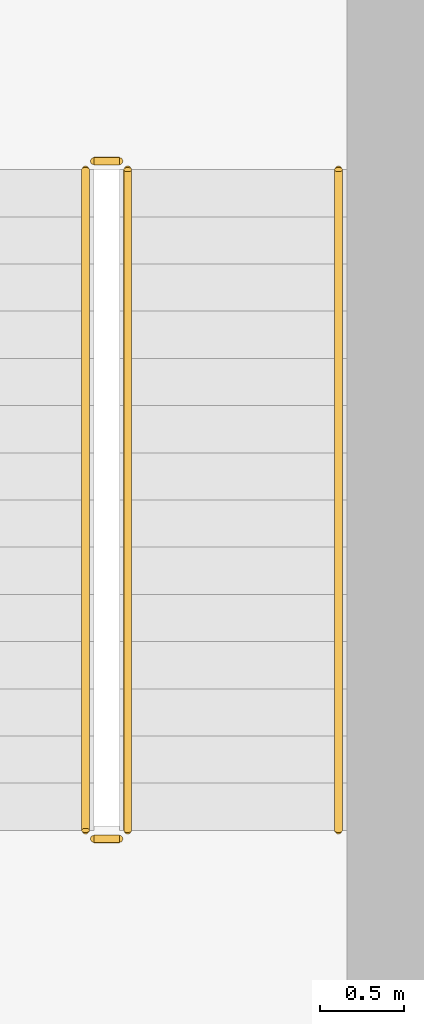
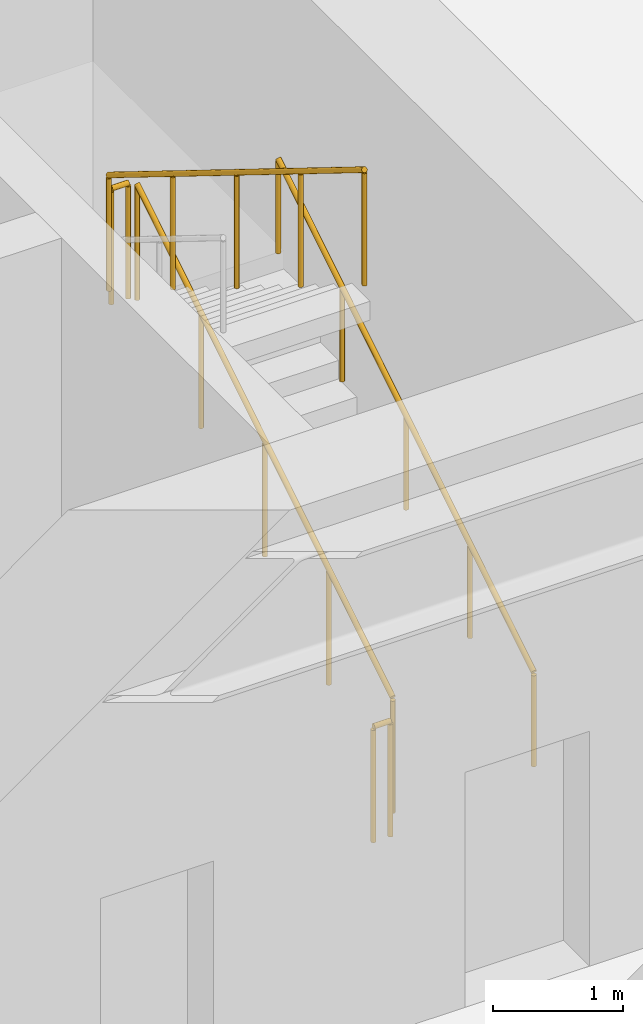
# One storey, part 14 of 14: 5 railings.
"""IFC4 building model written with IfcOpenShell, lengths in metres."""

import ifcopenshell
import ifcopenshell.guid

model = None  # the IFC model being written
_history = None  # IfcOwnerHistory: only IFC2X3 demands one
_inside = {}  # id of a spatial element -> (the spatial element, [elements in it])
_under = {}  # id of a project, library or spatial element -> (it, [spatial elements below it])
_declared = {}  # id of a project -> (the project, [libraries it declares])
_typed = {}  # id of a type object -> (the type object, [elements of that type])
_made_of = {}  # id of a material, layer set ... -> (it, [elements and type objects made of it])


def new_model(schema):
    """Start an empty IFC model of exactly this schema.

    Asked for "IFC4X3", IfcOpenShell would pick the latest addendum, in which some entities
    have other attributes; the version numbers below select the first issue.
    IFC2X3 requires an IfcOwnerHistory on every rooted entity: one is made here for all.
    """
    global model, _history
    if schema == "IFC4X3":
        model = ifcopenshell.file(schema_version=(4, 3, 0, 0))
    else:
        model = ifcopenshell.file(schema=schema)
    _inside.clear()
    _under.clear()
    _declared.clear()
    _typed.clear()
    _made_of.clear()
    _history = None
    if model.schema == "IFC2X3":
        org = make("IfcOrganization", Name="unknown")
        user = make(
            "IfcPersonAndOrganization",
            ThePerson=make("IfcPerson", FamilyName="unknown"),
            TheOrganization=org,
        )
        app = make(
            "IfcApplication",
            ApplicationDeveloper=org,
            Version="unknown",
            ApplicationFullName="unknown",
            ApplicationIdentifier="unknown",
        )
        _history = make(
            "IfcOwnerHistory",
            OwningUser=user,
            OwningApplication=app,
            ChangeAction="ADDED",
            CreationDate=0,
        )
    return model


def make(cls, **values):
    """One entity of the class cls with the attributes given. An attribute that is None is left unset."""
    return model.create_entity(
        cls, **{name: value for name, value in values.items() if value is not None}
    )


def rooted(cls, **values):
    """An entity with a GlobalId (a new one), such as an element, a storey or a relation."""
    return make(cls, GlobalId=ifcopenshell.guid.new(), OwnerHistory=_history, **values)


def si_unit(unit_type, name, prefix=None):
    """IfcSIUnit, for example si_unit("LENGTHUNIT", "METRE", prefix="MILLI")."""
    return make("IfcSIUnit", UnitType=unit_type, Prefix=prefix, Name=name)


def assignment(units):
    """IfcUnitAssignment: the units of a project."""
    return None if units is None else make("IfcUnitAssignment", Units=units)


def point(xyz):
    """IfcCartesianPoint."""
    return None if xyz is None else make("IfcCartesianPoint", Coordinates=xyz)


def direction(xyz):
    """IfcDirection."""
    return None if xyz is None else make("IfcDirection", DirectionRatios=xyz)


def frame(location, z_axis=None, x_axis=None):
    """IfcAxis2Placement3D, a coordinate frame: its origin and axes. An axis left out is left unset."""
    return make(
        "IfcAxis2Placement3D",
        Location=point(location),
        Axis=direction(z_axis),
        RefDirection=direction(x_axis),
    )


def frame_2d(location, x_axis=None):
    """IfcAxis2Placement2D, a coordinate frame in the plane: its origin and x axis."""
    return make(
        "IfcAxis2Placement2D", Location=point(location), RefDirection=direction(x_axis)
    )


def origin():
    """The frame at (0, 0, 0) with its axes left unset."""
    return frame((0.0, 0.0, 0.0))


def origin_2d():
    """The frame at (0, 0) in the plane with its x axis left unset."""
    return frame_2d((0.0, 0.0))


def place(relative_to, where):
    """IfcLocalPlacement: puts the frame where relative to a parent placement (None: the world)."""
    return make(
        "IfcLocalPlacement", PlacementRelTo=relative_to, RelativePlacement=where
    )


def context(
    kind, dimensions, precision=None, world=None, true_north=None, identifier=None
):
    """IfcGeometricRepresentationContext, for example the 3D "Model" context."""
    return make(
        "IfcGeometricRepresentationContext",
        ContextIdentifier=identifier,
        ContextType=kind,
        CoordinateSpaceDimension=dimensions,
        Precision=precision,
        WorldCoordinateSystem=world,
        TrueNorth=true_north,
    )


def subcontext(parent, identifier, kind, view, scale=None):
    """IfcGeometricRepresentationSubContext, for example "Body" below "Model"."""
    return make(
        "IfcGeometricRepresentationSubContext",
        ContextIdentifier=identifier,
        ContextType=kind,
        ParentContext=parent,
        TargetScale=scale,
        TargetView=view,
    )


def project(units=None, contexts=None):
    """IfcProject with its units and contexts."""
    return rooted(
        "IfcProject",
        Name="project",
        RepresentationContexts=contexts,
        UnitsInContext=assignment(units),
    )


def spatial(cls, under=None, at=None, **own):
    """A site, building, storey or space (cls), placed at a placement, below another one or the project."""
    s = rooted(cls, ObjectPlacement=at, **own)
    if under is not None:
        _under.setdefault(under.id(), (under, []))[1].append(s)
    return s


def profile(cls, at=None, kind="AREA", **sizes):
    """A parametric profile (cls). Its sizes go by their IFC names, for example OverallWidth=200.0."""
    return make(cls, ProfileType=kind, Position=at, **sizes)


def circle(**sizes):
    """IfcCircleProfileDef."""
    return profile("IfcCircleProfileDef", **sizes)


def extrude(swept, where, along, depth):
    """IfcExtrudedAreaSolid: the profile swept, set in the frame where, extruded along a direction by depth."""
    return make(
        "IfcExtrudedAreaSolid",
        SweptArea=swept,
        Position=where,
        ExtrudedDirection=direction(along),
        Depth=depth,
    )


def shape(context_of_items, identifier, shape_type, items):
    """IfcShapeRepresentation: the items that make up one representation, for example the "Body"."""
    return make(
        "IfcShapeRepresentation",
        ContextOfItems=context_of_items,
        RepresentationIdentifier=identifier,
        RepresentationType=shape_type,
        Items=items,
    )


def material(Name=None, Category=None):
    """IfcMaterial."""
    return make("IfcMaterial", Name=Name, Category=Category)


def layer(
    of_material, thickness, ventilated=None, Name=None, Category=None, Priority=None
):
    """IfcMaterialLayer: one layer of a wall or slab, of a material (None: an air gap)."""
    return make(
        "IfcMaterialLayer",
        Material=of_material,
        LayerThickness=thickness,
        IsVentilated=ventilated,
        Name=Name,
        Category=Category,
        Priority=Priority,
    )


def layer_set(layers, Name=None):
    """IfcMaterialLayerSet."""
    return make("IfcMaterialLayerSet", MaterialLayers=layers, LayerSetName=Name)


def made_of(thing, what):
    """Note that an element or type object is made of a material, layer set ...; save() writes the relation."""
    if what is not None:
        _made_of.setdefault(what.id(), (what, []))[1].append(thing)
    return thing


def type_object(cls, material=None, **own):
    """A type object (cls), such as IfcWallType, which elements share."""
    return made_of(rooted(cls, **own), material)


def element(
    cls,
    number,
    at=None,
    inside=None,
    cuts=None,
    type_object=None,
    material=None,
    context=None,
    identifier="Body",
    shape_type=None,
    held_by="IfcProductDefinitionShape",
    body=None,
    shapes=None,
    **own,
):
    """One element of the class cls, such as IfcWall. Its Tag is "e" and its number.

    at: its placement. inside: the storey or other place that contains it. cuts: it is an
    opening in that element (IfcRelVoidsElement). A single representation is given by context,
    identifier, shape_type and body (its items); several are given by shapes. held_by: the class
    of the entity that holds the representations. save() writes the other relations.
    """
    e = rooted(cls, Tag="e%d" % number, ObjectPlacement=at, **own)
    if body is not None:
        shapes = [shape(context, identifier, shape_type, body)]
    if shapes is not None:
        e.Representation = make(held_by, Representations=shapes)
    if inside is not None:
        _inside.setdefault(inside.id(), (inside, []))[1].append(e)
    if cuts is not None:
        rooted(
            "IfcRelVoidsElement", RelatingBuildingElement=cuts, RelatedOpeningElement=e
        )
    if type_object is not None:
        _typed.setdefault(type_object.id(), (type_object, []))[1].append(e)
    return made_of(e, material)


def aggregate(whole, parts):
    """IfcRelAggregates: a whole, such as a stair, and the parts it consists of."""
    return rooted("IfcRelAggregates", RelatingObject=whole, RelatedObjects=parts)


def save(model, path):
    """Write the relations noted so far, then the file.

    IfcRelAggregates (storeys below a building ...), IfcRelContainedInSpatialStructure (elements
    in a storey), IfcRelDefinesByType, IfcRelAssociatesMaterial and IfcRelDeclares: one each for
    every whole, place, type object, material and project.
    """
    for whole, parts in _under.values():
        aggregate(whole, parts)
    for where, things in _inside.values():
        rooted(
            "IfcRelContainedInSpatialStructure",
            RelatedElements=things,
            RelatingStructure=where,
        )
    for kind, things in _typed.values():
        rooted("IfcRelDefinesByType", RelatedObjects=things, RelatingType=kind)
    for what, things in _made_of.values():
        rooted("IfcRelAssociatesMaterial", RelatedObjects=things, RelatingMaterial=what)
    for by, libraries in _declared.values():
        rooted("IfcRelDeclares", RelatingContext=by, RelatedDefinitions=libraries)
    model.write(path)


model = new_model("IFC4")

# Units and contexts
model_context = context("Model", 3, precision=1e-05, world=origin(), true_north=direction((0.0, 1.0)))
body_context = subcontext(model_context, "Body", "Model", "MODEL_VIEW")
ifc_project = project(units=[si_unit("LENGTHUNIT", "METRE"), si_unit("AREAUNIT", "SQUARE_METRE"), si_unit("VOLUMEUNIT", "CUBIC_METRE"), si_unit("PLANEANGLEUNIT", "RADIAN"), si_unit("MASSUNIT", "GRAM", prefix="KILO")], contexts=[model_context])

# Site, building, storey
site_placement = place(None, origin())
site = spatial("IfcSite", under=ifc_project, at=site_placement, CompositionType="ELEMENT")
building_placement = place(site_placement, origin())
building = spatial("IfcBuilding", under=site, at=building_placement, Name="Kravanh Interchange Tower", CompositionType="ELEMENT")
storey_placement = place(building_placement, frame((0.0, 0.0, 24.300048828125)))
storey = spatial("IfcBuildingStorey", under=building, at=storey_placement, Name="L05", CompositionType="ELEMENT", Elevation=24.300048828125)

# Railings
ifc_material_1 = material(Name="Structural Steel S355", Category="steel")
ifc_layer_1 = layer(ifc_material_1, 0.050048828125)
ifc_layer_set_1 = layer_set([ifc_layer_1], Name="Stair Well Guardrail Structural Steel S355 1100mm")
railing_type_1 = type_object("IfcRailingType", Name="Stair Well Guardrail Structural Steel S355 1100mm", PredefinedType="GUARDRAIL", material=ifc_layer_set_1)
railing_1_placement = place(storey_placement, frame((64.550048828125, 39.89990234375, 0.17333984375)))
element("IfcRailing", 1, at=railing_1_placement, inside=storey, type_object=railing_type_1, Name="L05 ST1 stair guard 1", PredefinedType="GUARDRAIL", context=body_context, shape_type="SweptSolid", body=[
    extrude(circle(Radius=0.02392578125, at=origin_2d()), frame((0.0, 0.0, 1.076171875), z_axis=(0.0, 0.850289973577, 0.526314507528), x_axis=(-1.0, 0.0, 0.0)), (0.0, 0.0, 1.0), 4.6103515625),
    extrude(circle(Radius=0.02099609375, at=origin_2d()), origin(), (0.0, 0.0, 1.0), 1.052001953125),
    extrude(circle(Radius=0.02099609375, at=origin_2d()), frame((0.0, 0.97998046875, 0.606689453125)), (0.0, 0.0, 1.0), 1.052001953125),
    extrude(circle(Radius=0.02099609375, at=origin_2d()), frame((0.0, 1.9599609375, 1.21337890625)), (0.0, 0.0, 1.0), 1.052001953125),
    extrude(circle(Radius=0.02099609375, at=origin_2d()), frame((0.0, 2.940185546875, 1.81982421875)), (0.0, 0.0, 1.0), 1.052001953125),
    extrude(circle(Radius=0.02099609375, at=origin_2d()), frame((0.0, 3.920166015625, 2.426513671875)), (0.0, 0.0, 1.0), 1.052001953125),
])
railing_2_placement = place(storey_placement, frame((64.5, 43.8701171875, 2.599853515625)))
element("IfcRailing", 2, at=railing_2_placement, inside=storey, type_object=railing_type_1, Name="L05 ST1 stair guard 2", PredefinedType="GUARDRAIL", context=body_context, shape_type="SweptSolid", body=[
    extrude(circle(Radius=0.02392578125, at=origin_2d()), frame((0.0, 0.0, 1.076171875), z_axis=(-1.0, 0.0, 0.0), x_axis=(0.0, -1.0, 0.0)), (0.0, 0.0, 1.0), 0.14990234375),
    extrude(circle(Radius=0.02099609375, at=origin_2d()), origin(), (0.0, 0.0, 1.0), 1.052001953125),
    extrude(circle(Radius=0.02099609375, at=origin_2d()), frame((-0.14990234375, 0.0, 0.0)), (0.0, 0.0, 1.0), 1.052001953125),
])
railing_3_placement = place(storey_placement, frame((64.300048828125, 43.820068359375, 2.773193359375)))
element("IfcRailing", 3, at=railing_3_placement, inside=storey, type_object=railing_type_1, Name="L05 ST1 stair guard 3", PredefinedType="GUARDRAIL", context=body_context, shape_type="SweptSolid", body=[
    extrude(circle(Radius=0.02392578125, at=origin_2d()), frame((0.0, 0.0, 1.076171875), z_axis=(0.0, -0.850266275192, 0.526352791643), x_axis=(1.0, 0.0, 0.0)), (0.0, 0.0, 1.0), 4.610595703125),
    extrude(circle(Radius=0.02099609375, at=origin_2d()), origin(), (0.0, 0.0, 1.0), 1.052001953125),
    extrude(circle(Radius=0.02099609375, at=origin_2d()), frame((0.0, -0.97998046875, 0.606689453125)), (0.0, 0.0, 1.0), 1.052001953125),
    extrude(circle(Radius=0.02099609375, at=origin_2d()), frame((0.0, -1.9599609375, 1.21337890625)), (0.0, 0.0, 1.0), 1.052001953125),
    extrude(circle(Radius=0.02099609375, at=origin_2d()), frame((0.0, -2.940185546875, 1.820068359375)), (0.0, 0.0, 1.0), 1.052001953125),
    extrude(circle(Radius=0.02099609375, at=origin_2d()), frame((0.0, -3.920166015625, 2.4267578125)), (0.0, 0.0, 1.0), 1.052001953125),
])
railing_4_placement = place(storey_placement, frame((64.5, 39.85009765625, 0.0)))
element("IfcRailing", 4, at=railing_4_placement, inside=storey, type_object=railing_type_1, Name="L05 ST1 stair guard 4", PredefinedType="GUARDRAIL", context=body_context, shape_type="SweptSolid", body=[
    extrude(circle(Radius=0.02392578125, at=origin_2d()), frame((0.0, 0.0, 1.076171875), z_axis=(-1.0, 0.0, 0.0), x_axis=(0.0, -1.0, 0.0)), (0.0, 0.0, 1.0), 0.14990234375),
    extrude(circle(Radius=0.02099609375, at=origin_2d()), origin(), (0.0, 0.0, 1.0), 1.052001953125),
    extrude(circle(Radius=0.02099609375, at=origin_2d()), frame((-0.14990234375, 0.0, 0.0)), (0.0, 0.0, 1.0), 1.052001953125),
])
ifc_material_2 = material(Name="Stainless Steel 304", Category="steel")
ifc_layer_2 = layer(ifc_material_2, 0.044921875)
ifc_layer_set_2 = layer_set([ifc_layer_2], Name="Tubular Stair Handrail Stainless 304 900mm")
railing_type_2 = type_object("IfcRailingType", Name="Tubular Stair Handrail Stainless 304 900mm", PredefinedType="HANDRAIL", material=ifc_layer_set_2)
railing_5_placement = place(storey_placement, frame((65.800048828125, 39.89990234375, 0.17333984375)))
element("IfcRailing", 5, at=railing_5_placement, inside=storey, type_object=railing_type_2, Name="L05 ST1 stair handrail 1", PredefinedType="HANDRAIL", context=body_context, shape_type="SweptSolid", body=[
    extrude(circle(Radius=0.02392578125, at=origin_2d()), frame((0.0, 0.0, 0.8759765625), z_axis=(0.0, 0.850289973577, 0.526314507528), x_axis=(-1.0, 0.0, 0.0)), (0.0, 0.0, 1.0), 4.6103515625),
    extrude(circle(Radius=0.02099609375, at=origin_2d()), origin(), (0.0, 0.0, 1.0), 0.851806640625),
    extrude(circle(Radius=0.02099609375, at=origin_2d()), frame((0.0, 0.97998046875, 0.606689453125)), (0.0, 0.0, 1.0), 0.851806640625),
    extrude(circle(Radius=0.02099609375, at=origin_2d()), frame((0.0, 1.9599609375, 1.21337890625)), (0.0, 0.0, 1.0), 0.851806640625),
    extrude(circle(Radius=0.02099609375, at=origin_2d()), frame((0.0, 2.940185546875, 1.81982421875)), (0.0, 0.0, 1.0), 0.851806640625),
    extrude(circle(Radius=0.02099609375, at=origin_2d()), frame((0.0, 3.920166015625, 2.426513671875)), (0.0, 0.0, 1.0), 0.851806640625),
])

save(model, "model.ifc")
